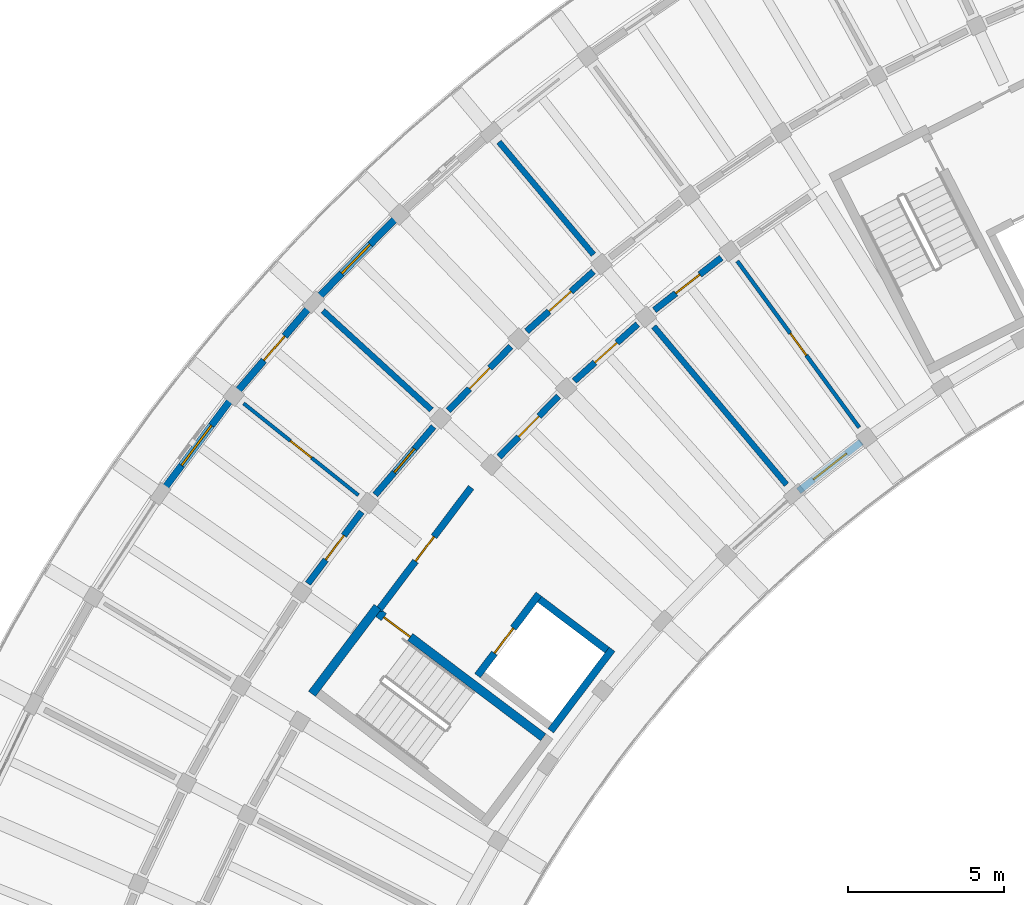
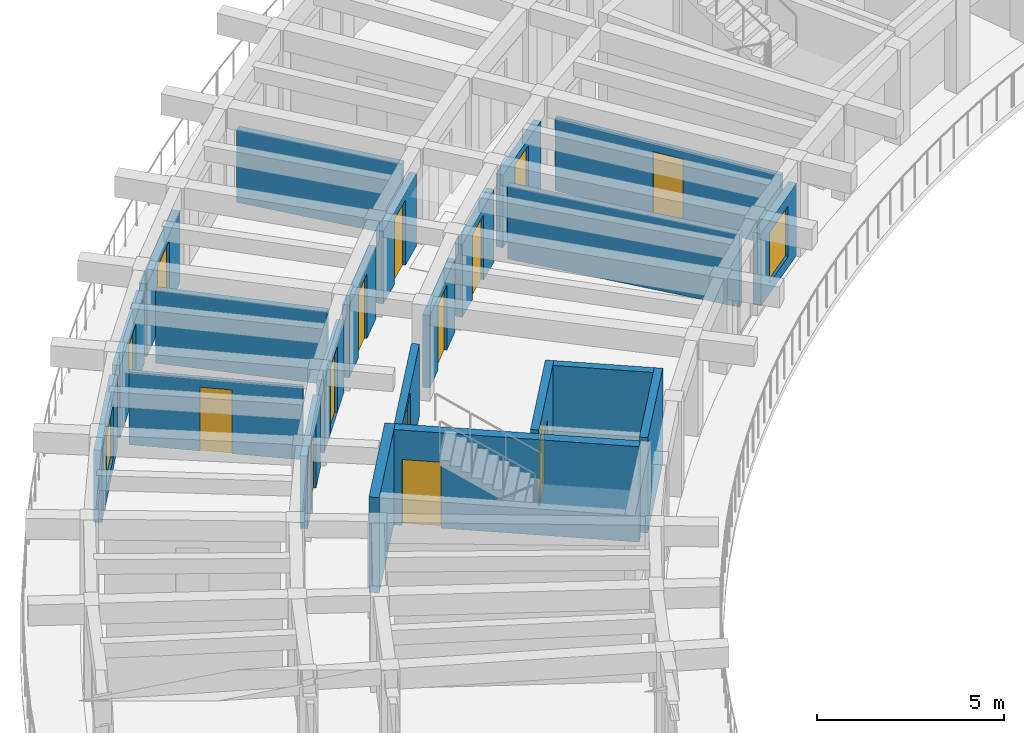
# One storey, part 37 of 62: 22 walls, 13 doors, 3 windows, 16 openings.
"""IFC4 building model written with IfcOpenShell, lengths in metres."""

from ifc_helpers import new_model, si_unit, direction, frame, frame_2d, origin, place, context, subcontext, project, spatial, rectangle, extrude, material, layer, layer_set, type_object, element, fill, save


model = new_model("IFC4")

# Units and contexts
model_context = context("Model", 3, precision=1e-05, world=origin(), true_north=direction((0.0, 1.0)))
body_context = subcontext(model_context, "Body", "Model", "MODEL_VIEW")
ifc_project = project(units=[si_unit("LENGTHUNIT", "METRE"), si_unit("AREAUNIT", "SQUARE_METRE"), si_unit("VOLUMEUNIT", "CUBIC_METRE"), si_unit("PLANEANGLEUNIT", "RADIAN"), si_unit("MASSUNIT", "GRAM", prefix="KILO")], contexts=[model_context])

# Site, building, storey
site_placement = place(None, origin())
site = spatial("IfcSite", under=ifc_project, at=site_placement, CompositionType="ELEMENT")
building_placement = place(site_placement, origin())
building = spatial("IfcBuilding", under=site, at=building_placement, Name="Tanwirah Colonnade Gardens", CompositionType="ELEMENT")
storey_placement = place(building_placement, frame((0.0, 0.0, 32.360107421875)))
storey = spatial("IfcBuildingStorey", under=building, at=storey_placement, Name="L09", CompositionType="ELEMENT", Elevation=32.360107421875)

# Wall, opening, window
ifc_material_1 = material(Name="Limestone architectural precast concrete C40/50", Category="masonry")
ifc_layer_1 = layer(ifc_material_1, 0.22509765625)
ifc_layer_set_1 = layer_set([ifc_layer_1], Name="Limestone architectural precast concrete C40/50")
wall_type_1 = type_object("IfcWallType", Name="EW-PC225", PredefinedType="SOLIDWALL", material=ifc_layer_set_1)
wall_1_placement = place(storey_placement, frame((38.560546875, 95.92333984375, 0.0), z_axis=(0.0, 0.0, 1.0), x_axis=(-0.786840630754, -0.617156237751, 0.0)))
wall_1 = element("IfcWall", 1, at=wall_1_placement, inside=storey, type_object=wall_type_1, Name="Block A L09 IN Precast Facade Wall 8", PredefinedType="SOLIDWALL", context=body_context, shape_type="SweptSolid", body=[
    extrude(rectangle(XDim=2.545166015625, YDim=0.22509765625, at=frame_2d((1.2724609375, 0.0))), origin(), (0.0, 0.0, 1.0), 2.35498046875),
])
opening_1_placement = place(wall_1_placement, frame((0.59765625, 0.0, 0.35009765625)))
opening_1 = element("IfcOpeningElement", 2, at=opening_1_placement, cuts=wall_1, Name="Opening WIN-T05", PredefinedType="OPENING", context=body_context, shape_type="SweptSolid", body=[
    extrude(rectangle(XDim=1.35009765625, YDim=1.64990234375, at=frame_2d((0.675048828125, 0.824951171875))), frame((0.0, 0.12255859375, 0.0), z_axis=(0.0, -1.0, 0.0), x_axis=(1.0, 0.0, 0.0)), (0.0, 0.0, 1.0), 0.2451171875),
])
ifc_material_2 = material(Name="Thermally broken bronze aluminium and solar low-E double glazing", Category="aluminium")
window_type_1 = type_object("IfcWindowType", Name="WIN-T05", PartitioningType="DOUBLE_PANEL_VERTICAL", PredefinedType="WINDOW", material=ifc_material_2)
window_1_placement = place(opening_1_placement, origin())
window_1 = element("IfcWindow", 3, at=window_1_placement, inside=storey, type_object=window_type_1, Name="Facade window A-L09-IN-08", OverallHeight=1.64990234375, OverallWidth=1.35009765625, PartitioningType="SINGLE_PANEL", PredefinedType="WINDOW", context=body_context, shape_type="SweptSolid", body=[
    extrude(rectangle(XDim=1.35009765625, YDim=1.64990234375, at=frame_2d((0.675048828125, 0.824951171875))), frame((0.0, 0.030029296875, 0.0), z_axis=(0.0, -1.0, 0.0), x_axis=(1.0, 0.0, 0.0)), (0.0, 0.0, 1.0), 0.06005859375),
])
fill(opening_1, window_1)

wall_2_placement = place(storey_placement, frame((23.645751953125, 103.03955078125, 0.0), z_axis=(0.0, 0.0, 1.0), x_axis=(-0.698819119584, -0.715298425906, 0.0)))
wall_2 = element("IfcWall", 4, at=wall_2_placement, inside=storey, type_object=wall_type_1, Name="Block A L09 OUT Precast Facade Wall 10", PredefinedType="SOLIDWALL", context=body_context, shape_type="SweptSolid", body=[
    extrude(rectangle(XDim=3.540771484375, YDim=0.22509765625, at=frame_2d((1.7705078125, 0.0))), origin(), (0.0, 0.0, 1.0), 2.35498046875),
])
opening_2_placement = place(wall_2_placement, frame((1.120361328125, 0.0, 0.550048828125)))
opening_2 = element("IfcOpeningElement", 5, at=opening_2_placement, cuts=wall_2, Name="Opening WIN-T04", PredefinedType="OPENING", context=body_context, shape_type="SweptSolid", body=[
    extrude(rectangle(XDim=1.300048828125, YDim=1.60009765625, at=frame_2d((0.64990234375, 0.800048828125))), frame((0.0, 0.12255859375, 0.0), z_axis=(0.0, -1.0, 0.0), x_axis=(1.0, 0.0, 0.0)), (0.0, 0.0, 1.0), 0.2451171875),
])
window_type_2 = type_object("IfcWindowType", Name="WIN-T04", PartitioningType="DOUBLE_PANEL_VERTICAL", PredefinedType="WINDOW", material=ifc_material_2)
window_2_placement = place(opening_2_placement, origin())
window_2 = element("IfcWindow", 6, at=window_2_placement, inside=storey, type_object=window_type_2, Name="Facade window A-L09-OUT-10", OverallHeight=1.60009765625, OverallWidth=1.300048828125, PartitioningType="SINGLE_PANEL", PredefinedType="WINDOW", context=body_context, shape_type="SweptSolid", body=[
    extrude(rectangle(XDim=1.300048828125, YDim=1.60009765625, at=frame_2d((0.64990234375, 0.800048828125))), frame((0.0, 0.030029296875, 0.0), z_axis=(0.0, -1.0, 0.0), x_axis=(1.0, 0.0, 0.0)), (0.0, 0.0, 1.0), 0.06005859375),
])
fill(opening_2, window_2)

# Wall, opening, door
wall_3_placement = place(storey_placement, frame((20.948974609375, 100.263427734375, 0.0), z_axis=(0.0, 0.0, 1.0), x_axis=(-0.650200638195, -0.759762548492, 0.0)))
wall_3 = element("IfcWall", 7, at=wall_3_placement, inside=storey, type_object=wall_type_1, Name="Block A L09 OUT Precast Facade Wall 11", PredefinedType="SOLIDWALL", context=body_context, shape_type="SweptSolid", body=[
    extrude(rectangle(XDim=3.540771484375, YDim=0.22509765625, at=frame_2d((1.7705078125, 0.0))), origin(), (0.0, 0.0, 1.0), 2.35498046875),
])
opening_3_placement = place(wall_3_placement, frame((1.260498046875, 0.0, 0.0)))
opening_3 = element("IfcOpeningElement", 8, at=opening_3_placement, cuts=wall_3, Name="Opening L09-ED043", PredefinedType="OPENING", context=body_context, shape_type="SweptSolid", body=[
    extrude(rectangle(XDim=1.02001953125, YDim=2.139892578125, at=frame_2d((0.510009765625, 1.06982421875))), frame((0.0, 0.12255859375, 0.0), z_axis=(0.0, -1.0, 0.0), x_axis=(1.0, 0.0, 0.0)), (0.0, 0.0, 1.0), 0.2451171875),
])
ifc_material_3 = material(Name="Bronze aluminium glazed balcony door", Category="aluminium")
door_type_1 = type_object("IfcDoorType", Name="ED-BAL102", OperationType="NOTDEFINED", PredefinedType="DOOR", material=ifc_material_3)
door_1_placement = place(opening_3_placement, origin())
door_1 = element("IfcDoor", 9, at=door_1_placement, inside=storey, type_object=door_type_1, Name="Balcony glazed door L09-ED043", OperationType="SINGLE_SWING_LEFT", OverallHeight=2.139892578125, OverallWidth=1.02001953125, PredefinedType="DOOR", context=body_context, shape_type="SweptSolid", body=[
    extrude(rectangle(XDim=1.02001953125, YDim=2.139892578125, at=frame_2d((0.510009765625, 1.06982421875))), frame((0.0, 0.02490234375, 0.0), z_axis=(0.0, -1.0, 0.0), x_axis=(1.0, 0.0, 0.0)), (0.0, 0.0, 1.0), 0.050048828125),
])
fill(opening_3, door_1)

# Wall, opening, window
wall_4_placement = place(storey_placement, frame((18.3720703125, 97.22998046875, 0.0), z_axis=(0.0, 0.0, 1.0), x_axis=(-0.59871946339, -0.800958803034, 0.0)))
wall_4 = element("IfcWall", 10, at=wall_4_placement, inside=storey, type_object=wall_type_1, Name="Block A L09 OUT Precast Facade Wall 12", PredefinedType="SOLIDWALL", context=body_context, shape_type="SweptSolid", body=[
    extrude(rectangle(XDim=3.540771484375, YDim=0.22509765625, at=frame_2d((1.7705078125, 0.0))), origin(), (0.0, 0.0, 1.0), 2.35498046875),
])
opening_4_placement = place(wall_4_placement, frame((0.97021484375, 0.0, 0.35009765625)))
opening_4 = element("IfcOpeningElement", 11, at=opening_4_placement, cuts=wall_4, Name="Opening WIN-T10", PredefinedType="OPENING", context=body_context, shape_type="SweptSolid", body=[
    extrude(rectangle(XDim=1.60009765625, YDim=1.75, at=frame_2d((0.800048828125, 0.875))), frame((0.0, 0.12255859375, 0.0), z_axis=(0.0, -1.0, 0.0), x_axis=(1.0, 0.0, 0.0)), (0.0, 0.0, 1.0), 0.2451171875),
])
window_type_3 = type_object("IfcWindowType", Name="WIN-T10", PartitioningType="DOUBLE_PANEL_VERTICAL", PredefinedType="WINDOW", material=ifc_material_2)
window_3_placement = place(opening_4_placement, origin())
window_3 = element("IfcWindow", 12, at=window_3_placement, inside=storey, type_object=window_type_3, Name="Facade window A-L09-OUT-12", OverallHeight=1.75, OverallWidth=1.60009765625, PartitioningType="SINGLE_PANEL", PredefinedType="WINDOW", context=body_context, shape_type="SweptSolid", body=[
    extrude(rectangle(XDim=1.60009765625, YDim=1.75, at=frame_2d((0.800048828125, 0.875))), frame((0.0, 0.030029296875, 0.0), z_axis=(0.0, -1.0, 0.0), x_axis=(1.0, 0.0, 0.0)), (0.0, 0.0, 1.0), 0.06005859375),
])
fill(opening_4, window_3)

# Wall, opening, door
ifc_material_4 = material(Name="Precast concrete C40/50", Category="concrete")
ifc_layer_2 = layer(ifc_material_4, 0.205078125)
ifc_layer_set_2 = layer_set([ifc_layer_2], Name="Precast concrete C40/50")
wall_type_2 = type_object("IfcWallType", Name="IW-CORR205", PredefinedType="PARTITIONING", material=ifc_layer_set_2)
wall_5_placement = place(storey_placement, frame((34.08544921875, 101.81298828125, 0.0), z_axis=(0.0, 0.0, 1.0), x_axis=(-0.786835457019, -0.617162833924, 0.0)))
wall_5 = element("IfcWall", 13, at=wall_5_placement, inside=storey, type_object=wall_type_2, Name="Block A L09 IN Corridor Wall 8", PredefinedType="PARTITIONING", context=body_context, shape_type="SweptSolid", body=[
    extrude(rectangle(XDim=2.718017578125, YDim=0.205078125, at=frame_2d((1.35888671875, 0.0))), origin(), (0.0, 0.0, 1.0), 2.369873046875),
])
opening_5_placement = place(wall_5_placement, frame((0.8740234375, 0.0, 0.0)))
opening_5 = element("IfcOpeningElement", 14, at=opening_5_placement, cuts=wall_5, Name="Opening L09-AD616", PredefinedType="OPENING", context=body_context, shape_type="SweptSolid", body=[
    extrude(rectangle(XDim=0.969970703125, YDim=2.14990234375, at=frame_2d((0.48486328125, 1.074951171875))), frame((0.0, 0.112548828125, 0.0), z_axis=(0.0, -1.0, 0.0), x_axis=(1.0, 0.0, 0.0)), (0.0, 0.0, 1.0), 0.22509765625),
])
ifc_material_5 = material(Name="Solid oak fire-resisting apartment entrance door")
door_type_2 = type_object("IfcDoorType", Name="ID-FLT097", OperationType="NOTDEFINED", PredefinedType="DOOR", material=ifc_material_5)
door_2_placement = place(opening_5_placement, origin())
door_2 = element("IfcDoor", 15, at=door_2_placement, inside=storey, type_object=door_type_2, Name="Apartment corridor door L09-AD616", OperationType="SINGLE_SWING_LEFT", OverallHeight=2.14990234375, OverallWidth=0.969970703125, PredefinedType="DOOR", context=body_context, shape_type="SweptSolid", body=[
    extrude(rectangle(XDim=0.969970703125, YDim=2.14990234375, at=frame_2d((0.48486328125, 1.074951171875))), frame((0.0, 0.02490234375, 0.0), z_axis=(0.0, -1.0, 0.0), x_axis=(1.0, 0.0, 0.0)), (0.0, 0.0, 1.0), 0.050048828125),
])
fill(opening_5, door_2)

wall_6_placement = place(storey_placement, frame((29.996826171875, 101.37109375, 0.0), z_axis=(0.0, 0.0, 1.0), x_axis=(-0.744433521088, -0.667696587291, 0.0)))
wall_6 = element("IfcWall", 16, at=wall_6_placement, inside=storey, type_object=wall_type_2, Name="Block A L09 OUT Corridor Wall 9", PredefinedType="PARTITIONING", context=body_context, shape_type="SweptSolid", body=[
    extrude(rectangle(XDim=2.86328125, YDim=0.205078125, at=frame_2d((1.431640625, 0.0))), origin(), (0.0, 0.0, 1.0), 2.369873046875),
])
opening_6_placement = place(wall_6_placement, frame((0.95654296875, 0.0, 0.0)))
opening_6 = element("IfcOpeningElement", 17, at=opening_6_placement, cuts=wall_6, Name="Opening L09-AD617", PredefinedType="OPENING", context=body_context, shape_type="SweptSolid", body=[
    extrude(rectangle(XDim=0.949951171875, YDim=2.1298828125, at=frame_2d((0.47509765625, 1.06494140625))), frame((0.0, 0.112548828125, 0.0), z_axis=(0.0, -1.0, 0.0), x_axis=(1.0, 0.0, 0.0)), (0.0, 0.0, 1.0), 0.22509765625),
])
door_type_3 = type_object("IfcDoorType", Name="ID-FLT095", OperationType="NOTDEFINED", PredefinedType="DOOR", material=ifc_material_5)
door_3_placement = place(opening_6_placement, origin())
door_3 = element("IfcDoor", 18, at=door_3_placement, inside=storey, type_object=door_type_3, Name="Apartment corridor door L09-AD617", OperationType="SINGLE_SWING_LEFT", OverallHeight=2.1298828125, OverallWidth=0.949951171875, PredefinedType="DOOR", context=body_context, shape_type="SweptSolid", body=[
    extrude(rectangle(XDim=0.949951171875, YDim=2.1298828125, at=frame_2d((0.47509765625, 1.06494140625))), frame((0.0, 0.02490234375, 0.0), z_axis=(0.0, -1.0, 0.0), x_axis=(1.0, 0.0, 0.0)), (0.0, 0.0, 1.0), 0.050048828125),
])
fill(opening_6, door_3)

wall_7_placement = place(storey_placement, frame((31.410888671875, 99.685791015625, 0.0), z_axis=(0.0, 0.0, 1.0), x_axis=(-0.744418559135, -0.667713268413, 0.0)))
wall_7 = element("IfcWall", 19, at=wall_7_placement, inside=storey, type_object=wall_type_2, Name="Block A L09 IN Corridor Wall 9", PredefinedType="PARTITIONING", context=body_context, shape_type="SweptSolid", body=[
    extrude(rectangle(XDim=2.71826171875, YDim=0.205078125, at=frame_2d((1.359130859375, 0.0))), origin(), (0.0, 0.0, 1.0), 2.369873046875),
])
opening_7_placement = place(wall_7_placement, frame((0.884033203125, 0.0, 0.0)))
opening_7 = element("IfcOpeningElement", 20, at=opening_7_placement, cuts=wall_7, Name="Opening L09-AD618", PredefinedType="OPENING", context=body_context, shape_type="SweptSolid", body=[
    extrude(rectangle(XDim=0.949951171875, YDim=2.1298828125, at=frame_2d((0.47509765625, 1.06494140625))), frame((0.0, 0.112548828125, 0.0), z_axis=(0.0, -1.0, 0.0), x_axis=(1.0, 0.0, 0.0)), (0.0, 0.0, 1.0), 0.22509765625),
])
door_4_placement = place(opening_7_placement, origin())
door_4 = element("IfcDoor", 21, at=door_4_placement, inside=storey, type_object=door_type_3, Name="Apartment corridor door L09-AD618", OperationType="SINGLE_SWING_RIGHT", OverallHeight=2.1298828125, OverallWidth=0.949951171875, PredefinedType="DOOR", context=body_context, shape_type="SweptSolid", body=[
    extrude(rectangle(XDim=0.949951171875, YDim=2.1298828125, at=frame_2d((0.47509765625, 1.06494140625))), frame((0.0, 0.02490234375, 0.0), z_axis=(0.0, -1.0, 0.0), x_axis=(1.0, 0.0, 0.0)), (0.0, 0.0, 1.0), 0.050048828125),
])
fill(opening_7, door_4)

wall_8_placement = place(storey_placement, frame((27.360107421875, 98.975341796875, 0.0), z_axis=(0.0, 0.0, 1.0), x_axis=(-0.698787219683, -0.715329589496, 0.0)))
wall_8 = element("IfcWall", 22, at=wall_8_placement, inside=storey, type_object=wall_type_2, Name="Block A L09 OUT Corridor Wall 10", PredefinedType="PARTITIONING", context=body_context, shape_type="SweptSolid", body=[
    extrude(rectangle(XDim=2.863037109375, YDim=0.205078125, at=frame_2d((1.431640625, 0.0))), origin(), (0.0, 0.0, 1.0), 2.369873046875),
])
opening_8_placement = place(wall_8_placement, frame((0.966552734375, 0.0, 0.0)))
opening_8 = element("IfcOpeningElement", 23, at=opening_8_placement, cuts=wall_8, Name="Opening L09-AD619", PredefinedType="OPENING", context=body_context, shape_type="SweptSolid", body=[
    extrude(rectangle(XDim=0.929931640625, YDim=2.1201171875, at=frame_2d((0.46484375, 1.06005859375))), frame((0.0, 0.112548828125, 0.0), z_axis=(0.0, -1.0, 0.0), x_axis=(1.0, 0.0, 0.0)), (0.0, 0.0, 1.0), 0.22509765625),
])
door_type_4 = type_object("IfcDoorType", Name="ID-FLT093", OperationType="NOTDEFINED", PredefinedType="DOOR", material=ifc_material_5)
door_5_placement = place(opening_8_placement, origin())
door_5 = element("IfcDoor", 24, at=door_5_placement, inside=storey, type_object=door_type_4, Name="Apartment corridor door L09-AD619", OperationType="SINGLE_SWING_RIGHT", OverallHeight=2.1201171875, OverallWidth=0.929931640625, PredefinedType="DOOR", context=body_context, shape_type="SweptSolid", body=[
    extrude(rectangle(XDim=0.929931640625, YDim=2.1201171875, at=frame_2d((0.46484375, 1.06005859375))), frame((0.0, 0.02490234375, 0.0), z_axis=(0.0, -1.0, 0.0), x_axis=(1.0, 0.0, 0.0)), (0.0, 0.0, 1.0), 0.050048828125),
])
fill(opening_8, door_5)

wall_9_placement = place(storey_placement, frame((28.88232421875, 97.38671875, 0.0), z_axis=(0.0, 0.0, 1.0), x_axis=(-0.698840007829, -0.715278018296, 0.0)))
wall_9 = element("IfcWall", 25, at=wall_9_placement, inside=storey, type_object=wall_type_2, Name="Block A L09 IN Corridor Wall 10", PredefinedType="PARTITIONING", context=body_context, shape_type="SweptSolid", body=[
    extrude(rectangle(XDim=2.718017578125, YDim=0.205078125, at=frame_2d((1.35888671875, 0.0))), origin(), (0.0, 0.0, 1.0), 2.369873046875),
])
opening_9_placement = place(wall_9_placement, frame((0.89404296875, 0.0, 0.0)))
opening_9 = element("IfcOpeningElement", 26, at=opening_9_placement, cuts=wall_9, Name="Opening L09-AD620", PredefinedType="OPENING", context=body_context, shape_type="SweptSolid", body=[
    extrude(rectangle(XDim=0.929931640625, YDim=2.1201171875, at=frame_2d((0.46484375, 1.06005859375))), frame((0.0, 0.112548828125, 0.0), z_axis=(0.0, -1.0, 0.0), x_axis=(1.0, 0.0, 0.0)), (0.0, 0.0, 1.0), 0.22509765625),
])
door_6_placement = place(opening_9_placement, origin())
door_6 = element("IfcDoor", 27, at=door_6_placement, inside=storey, type_object=door_type_4, Name="Apartment corridor door L09-AD620", OperationType="SINGLE_SWING_LEFT", OverallHeight=2.1201171875, OverallWidth=0.929931640625, PredefinedType="DOOR", context=body_context, shape_type="SweptSolid", body=[
    extrude(rectangle(XDim=0.929931640625, YDim=2.1201171875, at=frame_2d((0.46484375, 1.06005859375))), frame((0.0, 0.02490234375, 0.0), z_axis=(0.0, -1.0, 0.0), x_axis=(1.0, 0.0, 0.0)), (0.0, 0.0, 1.0), 0.050048828125),
])
fill(opening_9, door_6)

wall_10_placement = place(storey_placement, frame((24.88720703125, 96.4111328125, 0.0), z_axis=(0.0, 0.0, 1.0), x_axis=(-0.650194272684, -0.759767996015, 0.0)))
wall_10 = element("IfcWall", 28, at=wall_10_placement, inside=storey, type_object=wall_type_2, Name="Block A L09 OUT Corridor Wall 11", PredefinedType="PARTITIONING", context=body_context, shape_type="SweptSolid", body=[
    extrude(rectangle(XDim=2.863037109375, YDim=0.205078125, at=frame_2d((1.431640625, 0.0))), origin(), (0.0, 0.0, 1.0), 2.369873046875),
])
opening_10_placement = place(wall_10_placement, frame((0.9365234375, 0.0, 0.0)))
opening_10 = element("IfcOpeningElement", 29, at=opening_10_placement, cuts=wall_10, Name="Opening L09-AD621", PredefinedType="OPENING", context=body_context, shape_type="SweptSolid", body=[
    extrude(rectangle(XDim=0.989990234375, YDim=2.159912109375, at=frame_2d((0.4951171875, 1.080078125))), frame((0.0, 0.112548828125, 0.0), z_axis=(0.0, -1.0, 0.0), x_axis=(1.0, 0.0, 0.0)), (0.0, 0.0, 1.0), 0.22509765625),
])
door_type_5 = type_object("IfcDoorType", Name="ID-FLT099", OperationType="NOTDEFINED", PredefinedType="DOOR", material=ifc_material_5)
door_7_placement = place(opening_10_placement, origin())
door_7 = element("IfcDoor", 30, at=door_7_placement, inside=storey, type_object=door_type_5, Name="Apartment corridor door L09-AD621", OperationType="SINGLE_SWING_LEFT", OverallHeight=2.159912109375, OverallWidth=0.989990234375, PredefinedType="DOOR", context=body_context, shape_type="SweptSolid", body=[
    extrude(rectangle(XDim=0.989990234375, YDim=2.159912109375, at=frame_2d((0.4951171875, 1.080078125))), frame((0.0, 0.02490234375, 0.0), z_axis=(0.0, -1.0, 0.0), x_axis=(1.0, 0.0, 0.0)), (0.0, 0.0, 1.0), 0.050048828125),
])
fill(opening_10, door_7)

wall_11_placement = place(storey_placement, frame((22.588623046875, 93.689453125, 0.0), z_axis=(0.0, 0.0, 1.0), x_axis=(-0.598757763243, -0.800930172335, 0.0)))
wall_11 = element("IfcWall", 31, at=wall_11_placement, inside=storey, type_object=wall_type_2, Name="Block A L09 OUT Corridor Wall 12", PredefinedType="PARTITIONING", context=body_context, shape_type="SweptSolid", body=[
    extrude(rectangle(XDim=2.86328125, YDim=0.205078125, at=frame_2d((1.431640625, 0.0))), origin(), (0.0, 0.0, 1.0), 2.369873046875),
])
opening_11_placement = place(wall_11_placement, frame((0.946533203125, 0.0, 0.0)))
opening_11 = element("IfcOpeningElement", 32, at=opening_11_placement, cuts=wall_11, Name="Opening L09-AD623", PredefinedType="OPENING", context=body_context, shape_type="SweptSolid", body=[
    extrude(rectangle(XDim=0.969970703125, YDim=2.14990234375, at=frame_2d((0.48486328125, 1.074951171875))), frame((0.0, 0.112548828125, 0.0), z_axis=(0.0, -1.0, 0.0), x_axis=(1.0, 0.0, 0.0)), (0.0, 0.0, 1.0), 0.22509765625),
])
door_8_placement = place(opening_11_placement, origin())
door_8 = element("IfcDoor", 33, at=door_8_placement, inside=storey, type_object=door_type_2, Name="Apartment corridor door L09-AD623", OperationType="SINGLE_SWING_RIGHT", OverallHeight=2.14990234375, OverallWidth=0.969970703125, PredefinedType="DOOR", context=body_context, shape_type="SweptSolid", body=[
    extrude(rectangle(XDim=0.969970703125, YDim=2.14990234375, at=frame_2d((0.48486328125, 1.074951171875))), frame((0.0, 0.02490234375, 0.0), z_axis=(0.0, -1.0, 0.0), x_axis=(1.0, 0.0, 0.0)), (0.0, 0.0, 1.0), 0.050048828125),
])
fill(opening_11, door_8)

# Walls
ifc_layer_3 = layer(ifc_material_4, 0.18505859375)
ifc_layer_set_3 = layer_set([ifc_layer_3], Name="Precast concrete C40/50")
wall_type_3 = type_object("IfcWallType", Name="IW-DEM185", PredefinedType="PARTITIONING", material=ifc_layer_set_3)
wall_12_placement = place(storey_placement, frame((30.000244140625, 101.9111328125, 0.0), z_axis=(0.0, 0.0, 1.0), x_axis=(-0.642811926223, 0.766024038465, 0.0)))
element("IfcWall", 34, at=wall_12_placement, inside=storey, type_object=wall_type_3, Name="Block A L09 Radial Partition 8", PredefinedType="PARTITIONING", context=body_context, shape_type="SweptSolid", body=[
    extrude(rectangle(XDim=4.699951171875, YDim=0.18505859375, at=frame_2d((2.35009765625, 0.0))), origin(), (0.0, 0.0, 1.0), 2.369873046875),
])
wall_13_placement = place(storey_placement, frame((36.1708984375, 94.55712890625, 0.0), z_axis=(0.0, 0.0, 1.0), x_axis=(-0.642789470807, 0.766042881449, 0.0)))
element("IfcWall", 35, at=wall_13_placement, inside=storey, type_object=wall_type_3, Name="Block A L09 Inner Radial Partition 8", PredefinedType="PARTITIONING", context=body_context, shape_type="SweptSolid", body=[
    extrude(rectangle(XDim=6.60009765625, YDim=0.18505859375, at=frame_2d((3.300048828125, 0.0))), origin(), (0.0, 0.0, 1.0), 2.369873046875),
])
wall_14_placement = place(storey_placement, frame((24.819580078125, 96.947021484375, 0.0), z_axis=(0.0, 0.0, 1.0), x_axis=(-0.737934199263, 0.674872667663, 0.0)))
element("IfcWall", 36, at=wall_14_placement, inside=storey, type_object=wall_type_3, Name="Block A L09 Radial Partition 10", PredefinedType="PARTITIONING", context=body_context, shape_type="SweptSolid", body=[
    extrude(rectangle(XDim=4.699951171875, YDim=0.18505859375, at=frame_2d((2.35009765625, 0.0))), origin(), (0.0, 0.0, 1.0), 2.369873046875),
])

# Wall, opening, door
ifc_material_6 = material(Name="Autoclaved aerated masonry blockwork", Category="masonry")
ifc_layer_4 = layer(ifc_material_6, 0.219970703125)
ifc_layer_set_4 = layer_set([ifc_layer_4], Name="Autoclaved aerated masonry blockwork")
wall_type_4 = type_object("IfcWallType", Name="IW-FFL220", PredefinedType="PARTITIONING", material=ifc_layer_set_4)
wall_15_placement = place(storey_placement, frame((23.138916015625, 90.55517578125, 0.0), z_axis=(0.0, 0.0, 1.0), x_axis=(0.601792209296, 0.79865270101, 0.0)))
wall_15 = element("IfcWall", 37, at=wall_15_placement, inside=storey, type_object=wall_type_4, Name="CORE-A2 L09 Enclosed Lobby Fire Wall", PredefinedType="PARTITIONING", context=body_context, shape_type="SweptSolid", body=[
    extrude(rectangle(XDim=4.89990234375, YDim=0.219970703125, at=frame_2d((2.449951171875, 0.0))), origin(), (0.0, 0.0, 1.0), 2.33984375),
])
opening_12_placement = place(wall_15_placement, frame((1.949951171875, 0.0, 0.0)))
opening_12 = element("IfcOpeningElement", 38, at=opening_12_placement, cuts=wall_15, Name="Opening L09-LD059", PredefinedType="OPENING", context=body_context, shape_type="SweptSolid", body=[
    extrude(rectangle(XDim=0.97998046875, YDim=2.139892578125, at=frame_2d((0.489990234375, 1.06982421875))), frame((0.0, 0.119873046875, 0.0), z_axis=(0.0, -1.0, 0.0), x_axis=(1.0, 0.0, 0.0)), (0.0, 0.0, 1.0), 0.239990234375),
])
ifc_material_7 = material(Name="Acoustic fire-resisting lobby door")
door_type_6 = type_object("IfcDoorType", Name="ID-FFL098", OperationType="NOTDEFINED", PredefinedType="DOOR", material=ifc_material_7)
door_9_placement = place(opening_12_placement, origin())
door_9 = element("IfcDoor", 39, at=door_9_placement, inside=storey, type_object=door_type_6, Name="CORE-A2 L09 Lobby Fire Door L09-LD059", OperationType="SINGLE_SWING_RIGHT", OverallHeight=2.139892578125, OverallWidth=0.97998046875, PredefinedType="DOOR", context=body_context, shape_type="SweptSolid", body=[
    extrude(rectangle(XDim=0.97998046875, YDim=2.139892578125, at=frame_2d((0.489990234375, 1.06982421875))), frame((0.0, 0.02490234375, 0.0), z_axis=(0.0, -1.0, 0.0), x_axis=(1.0, 0.0, 0.0)), (0.0, 0.0, 1.0), 0.050048828125),
])
fill(opening_12, door_9)

ifc_material_8 = material(Name="Acoustic gypsum stud partition")
ifc_layer_5 = layer(ifc_material_8, 0.114990234375)
ifc_layer_set_5 = layer_set([ifc_layer_5], Name="Acoustic gypsum stud partition")
wall_type_5 = type_object("IfcWallType", Name="IW-INT115", PredefinedType="PARTITIONING", material=ifc_layer_set_5)
wall_16_placement = place(storey_placement, frame((22.48583984375, 94.2197265625, 0.0), z_axis=(0.0, 0.0, 1.0), x_axis=(-0.780807994362, 0.624771058821, 0.0)))
wall_16 = element("IfcWall", 40, at=wall_16_placement, inside=storey, type_object=wall_type_5, Name="Block A L09 Radial Partition 11", PredefinedType="PARTITIONING", context=body_context, shape_type="SweptSolid", body=[
    extrude(rectangle(XDim=4.7001953125, YDim=0.114990234375, at=frame_2d((2.35009765625, 0.0))), origin(), (0.0, 0.0, 1.0), 2.369873046875),
])
opening_13_placement = place(wall_16_placement, frame((1.9150390625, 0.0, 0.0)))
opening_13 = element("IfcOpeningElement", 41, at=opening_13_placement, cuts=wall_16, Name="Opening L09-RD622", PredefinedType="OPENING", context=body_context, shape_type="SweptSolid", body=[
    extrude(rectangle(XDim=0.8701171875, YDim=2.080078125, at=frame_2d((0.43505859375, 1.0400390625))), frame((0.0, 0.0673828125, 0.0), z_axis=(0.0, -1.0, 0.0), x_axis=(1.0, 0.0, 0.0)), (0.0, 0.0, 1.0), 0.135009765625),
])
ifc_material_9 = material(Name="Painted hardwood study door", Category="wood")
door_type_7 = type_object("IfcDoorType", Name="ID-RM087", OperationType="NOTDEFINED", PredefinedType="DOOR", material=ifc_material_9)
door_10_placement = place(opening_13_placement, origin())
door_10 = element("IfcDoor", 42, at=door_10_placement, inside=storey, type_object=door_type_7, Name="Internal apartment door L09-RD622", OperationType="SINGLE_SWING_LEFT", OverallHeight=2.080078125, OverallWidth=0.8701171875, PredefinedType="DOOR", context=body_context, shape_type="SweptSolid", body=[
    extrude(rectangle(XDim=0.8701171875, YDim=2.080078125, at=frame_2d((0.43505859375, 1.0400390625))), frame((0.0, 0.02490234375, 0.0), z_axis=(0.0, -1.0, 0.0), x_axis=(1.0, 0.0, 0.0)), (0.0, 0.0, 1.0), 0.050048828125),
])
fill(opening_13, door_10)

ifc_material_10 = material(Name="Moisture-resistant gypsum stud partition")
ifc_layer_6 = layer(ifc_material_10, 0.125)
ifc_layer_set_6 = layer_set([ifc_layer_6], Name="Moisture-resistant gypsum stud partition")
wall_type_6 = type_object("IfcWallType", Name="IW-INT125", PredefinedType="PARTITIONING", material=ifc_layer_set_6)
wall_17_placement = place(storey_placement, frame((38.497314453125, 96.3818359375, 0.0), z_axis=(0.0, 0.0, 1.0), x_axis=(-0.590924179316, 0.806727100263, 0.0)))
wall_17 = element("IfcWall", 43, at=wall_17_placement, inside=storey, type_object=wall_type_6, Name="Block A L09 Inner Radial Partition 7", PredefinedType="PARTITIONING", context=body_context, shape_type="SweptSolid", body=[
    extrude(rectangle(XDim=6.60009765625, YDim=0.125, at=frame_2d((3.300048828125, 0.0))), origin(), (0.0, 0.0, 1.0), 2.369873046875),
])
opening_14_placement = place(wall_17_placement, frame((2.864990234375, 0.0, 0.0)))
opening_14 = element("IfcOpeningElement", 44, at=opening_14_placement, cuts=wall_17, Name="Opening L09-RD614", PredefinedType="OPENING", context=body_context, shape_type="SweptSolid", body=[
    extrude(rectangle(XDim=0.8701171875, YDim=2.080078125, at=frame_2d((0.43505859375, 1.0400390625))), frame((0.0, 0.072509765625, 0.0), z_axis=(0.0, -1.0, 0.0), x_axis=(1.0, 0.0, 0.0)), (0.0, 0.0, 1.0), 0.14501953125),
])
door_11_placement = place(opening_14_placement, origin())
door_11 = element("IfcDoor", 45, at=door_11_placement, inside=storey, type_object=door_type_7, Name="Internal apartment door L09-RD614", OperationType="SINGLE_SWING_RIGHT", OverallHeight=2.080078125, OverallWidth=0.8701171875, PredefinedType="DOOR", context=body_context, shape_type="SweptSolid", body=[
    extrude(rectangle(XDim=0.8701171875, YDim=2.080078125, at=frame_2d((0.43505859375, 1.0400390625))), frame((0.0, 0.02490234375, 0.0), z_axis=(0.0, -1.0, 0.0), x_axis=(1.0, 0.0, 0.0)), (0.0, 0.0, 1.0), 0.050048828125),
])
fill(opening_14, door_11)

# Wall
ifc_material_11 = material(Name="Concrete C45/55", Category="concrete")
ifc_layer_7 = layer(ifc_material_11, 0.280029296875)
ifc_layer_set_7 = layer_set([ifc_layer_7], Name="Concrete C45/55")
wall_type_7 = type_object("IfcWallType", Name="SW-CORE280", PredefinedType="SHEAR", material=ifc_layer_set_7)
wall_18_placement = place(storey_placement, frame((21.002685546875, 87.869873046875, 0.0), z_axis=(0.0, 0.0, 1.0), x_axis=(0.601794470585, 0.798650997102, 0.0)))
element("IfcWall", 46, at=wall_18_placement, inside=storey, type_object=wall_type_7, Name="CORE-A2 L09 Stair Shaft Shear Wall NEAR", PredefinedType="SHEAR", context=body_context, shape_type="SweptSolid", body=[
    extrude(rectangle(XDim=3.47998046875, YDim=0.280029296875, at=frame_2d((1.739990234375, 0.0))), origin(), (0.0, 0.0, 1.0), 3.10986328125),
])

# Wall, opening, door
wall_19_placement = place(storey_placement, frame((23.12451171875, 90.453125, 0.0), z_axis=(0.0, 0.0, 1.0), x_axis=(0.798639633744, -0.601809550782, 0.0)))
wall_19 = element("IfcWall", 47, at=wall_19_placement, inside=storey, type_object=wall_type_7, Name="CORE-A2 L09 Stair Shaft Shear Wall RIGHT", PredefinedType="SHEAR", context=body_context, shape_type="SweptSolid", body=[
    extrude(rectangle(XDim=6.599853515625, YDim=0.280029296875, at=frame_2d((3.2998046875, 0.0))), origin(), (0.0, 0.0, 1.0), 3.10986328125),
])
opening_15_placement = place(wall_19_placement, frame((0.219970703125, 0.0, 0.0)))
opening_15 = element("IfcOpeningElement", 48, at=opening_15_placement, cuts=wall_19, Name="Opening L09-SD043", PredefinedType="OPENING", context=body_context, shape_type="SweptSolid", body=[
    extrude(rectangle(XDim=1.050048828125, YDim=2.14990234375, at=frame_2d((0.52490234375, 1.074951171875))), frame((0.0, 0.14990234375, 0.0), z_axis=(0.0, -1.0, 0.0), x_axis=(1.0, 0.0, 0.0)), (0.0, 0.0, 1.0), 0.300048828125),
])
ifc_material_12 = material(Name="Steel fire-resisting stair enclosure door", Category="steel")
door_type_8 = type_object("IfcDoorType", Name="ID-ST105", OperationType="NOTDEFINED", PredefinedType="DOOR", material=ifc_material_12)
door_12_placement = place(opening_15_placement, origin())
door_12 = element("IfcDoor", 49, at=door_12_placement, inside=storey, type_object=door_type_8, Name="CORE-A2 L09 Stair Fire Door L09-SD043", OperationType="SINGLE_SWING_RIGHT", OverallHeight=2.14990234375, OverallWidth=1.050048828125, PredefinedType="DOOR", context=body_context, shape_type="SweptSolid", body=[
    extrude(rectangle(XDim=1.050048828125, YDim=2.14990234375, at=frame_2d((0.52490234375, 1.074951171875))), frame((0.0, 0.02490234375, 0.0), z_axis=(0.0, -1.0, 0.0), x_axis=(1.0, 0.0, 0.0)), (0.0, 0.0, 1.0), 0.050048828125),
])
fill(opening_15, door_12)

ifc_layer_8 = layer(ifc_material_11, 0.22998046875)
ifc_layer_set_8 = layer_set([ifc_layer_8], Name="Concrete C45/55")
wall_type_8 = type_object("IfcWallType", Name="SW-LIFT230", PredefinedType="SHEAR", material=ifc_layer_set_8)
wall_20_placement = place(storey_placement, frame((26.2939453125, 88.452880859375, 0.0), z_axis=(0.0, 0.0, 1.0), x_axis=(0.601819781152, 0.798631924615, 0.0)))
wall_20 = element("IfcWall", 50, at=wall_20_placement, inside=storey, type_object=wall_type_8, Name="CORE-A2 L09 Lift Shaft Wall FRONT", PredefinedType="SHEAR", context=body_context, shape_type="SweptSolid", body=[
    extrude(rectangle(XDim=3.260009765625, YDim=0.22998046875, at=frame_2d((1.6298828125, 0.0))), origin(), (0.0, 0.0, 1.0), 3.10986328125),
])
opening_16_placement = place(wall_20_placement, frame((0.89990234375, 0.0, 0.0)))
opening_16 = element("IfcOpeningElement", 51, at=opening_16_placement, cuts=wall_20, Name="Opening L09-LD-PL-A2", PredefinedType="OPENING", context=body_context, shape_type="SweptSolid", body=[
    extrude(rectangle(XDim=1.0, YDim=2.14990234375, at=frame_2d((0.5, 1.074951171875))), frame((0.0, 0.125, 0.0), z_axis=(0.0, -1.0, 0.0), x_axis=(1.0, 0.0, 0.0)), (0.0, 0.0, 1.0), 0.25),
])
ifc_material_13 = material(Name="Bronze stainless steel sliding lift landing door", Category="steel")
door_type_9 = type_object("IfcDoorType", Name="LD-PS10", OperationType="DOUBLE_DOOR_SLIDING", PredefinedType="DOOR", material=ifc_material_13)
door_13_placement = place(opening_16_placement, origin())
door_13 = element("IfcDoor", 52, at=door_13_placement, inside=storey, type_object=door_type_9, Name="Lift PL-A2 L09 Sliding Landing Door", OperationType="DOUBLE_DOOR_SLIDING", OverallHeight=2.14990234375, OverallWidth=1.0, PredefinedType="DOOR", context=body_context, shape_type="SweptSolid", body=[
    extrude(rectangle(XDim=1.0, YDim=2.14990234375, at=frame_2d((0.5, 1.074951171875))), frame((0.0, 0.02490234375, 0.0), z_axis=(0.0, -1.0, 0.0), x_axis=(1.0, 0.0, 0.0)), (0.0, 0.0, 1.0), 0.050048828125),
])
fill(opening_16, door_13)

# Walls
wall_21_placement = place(storey_placement, frame((28.634033203125, 86.689697265625, 0.0), z_axis=(0.0, 0.0, 1.0), x_axis=(0.601819781152, 0.798631924615, 0.0)))
element("IfcWall", 53, at=wall_21_placement, inside=storey, type_object=wall_type_8, Name="CORE-A2 L09 Lift Shaft Wall BACK", PredefinedType="SHEAR", context=body_context, shape_type="SweptSolid", body=[
    extrude(rectangle(XDim=3.260009765625, YDim=0.22998046875, at=frame_2d((1.6298828125, 0.0))), origin(), (0.0, 0.0, 1.0), 3.10986328125),
])
wall_22_placement = place(storey_placement, frame((28.278564453125, 90.8955078125, 0.0), z_axis=(0.0, 0.0, 1.0), x_axis=(0.798608971494, -0.601850239387, 0.0)))
element("IfcWall", 54, at=wall_22_placement, inside=storey, type_object=wall_type_8, Name="CORE-A2 L09 Lift Shaft Wall SIDEB", PredefinedType="SHEAR", context=body_context, shape_type="SweptSolid", body=[
    extrude(rectangle(XDim=2.699951171875, YDim=0.22998046875, at=frame_2d((1.35009765625, 0.0))), origin(), (0.0, 0.0, 1.0), 3.10986328125),
])

save(model, "model.ifc")
